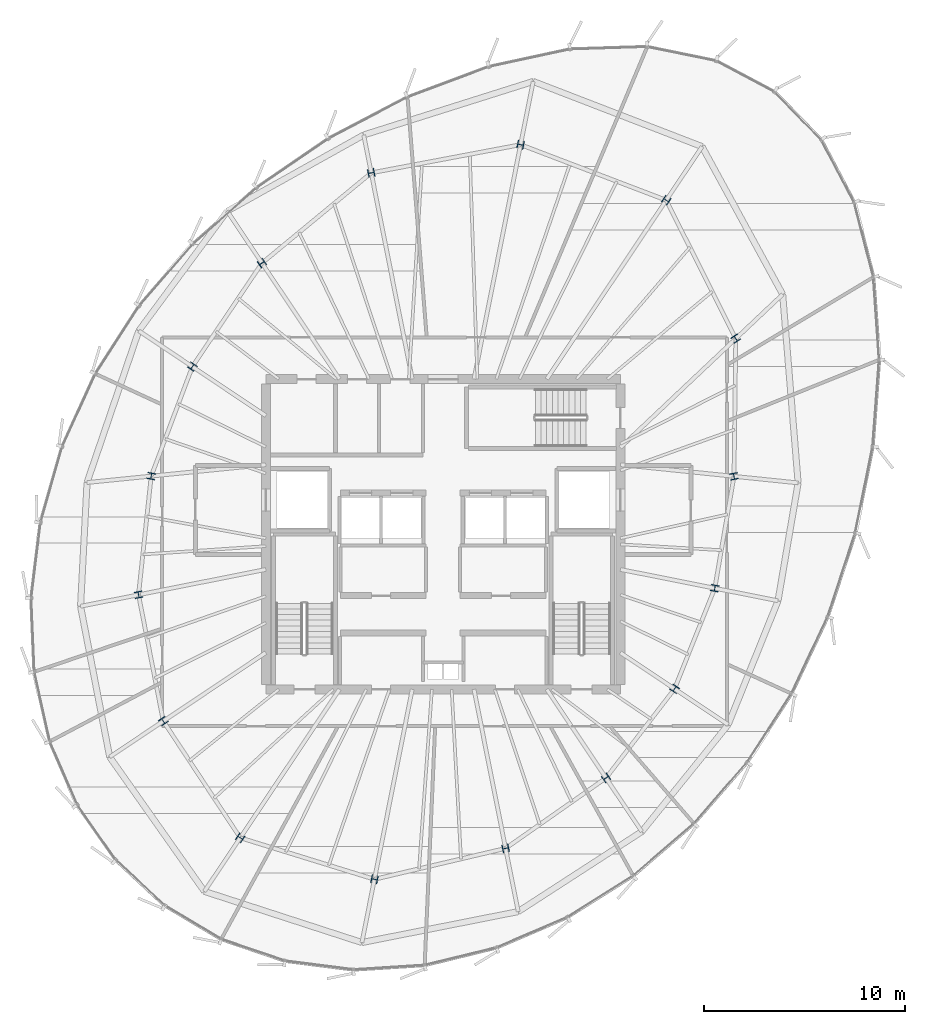
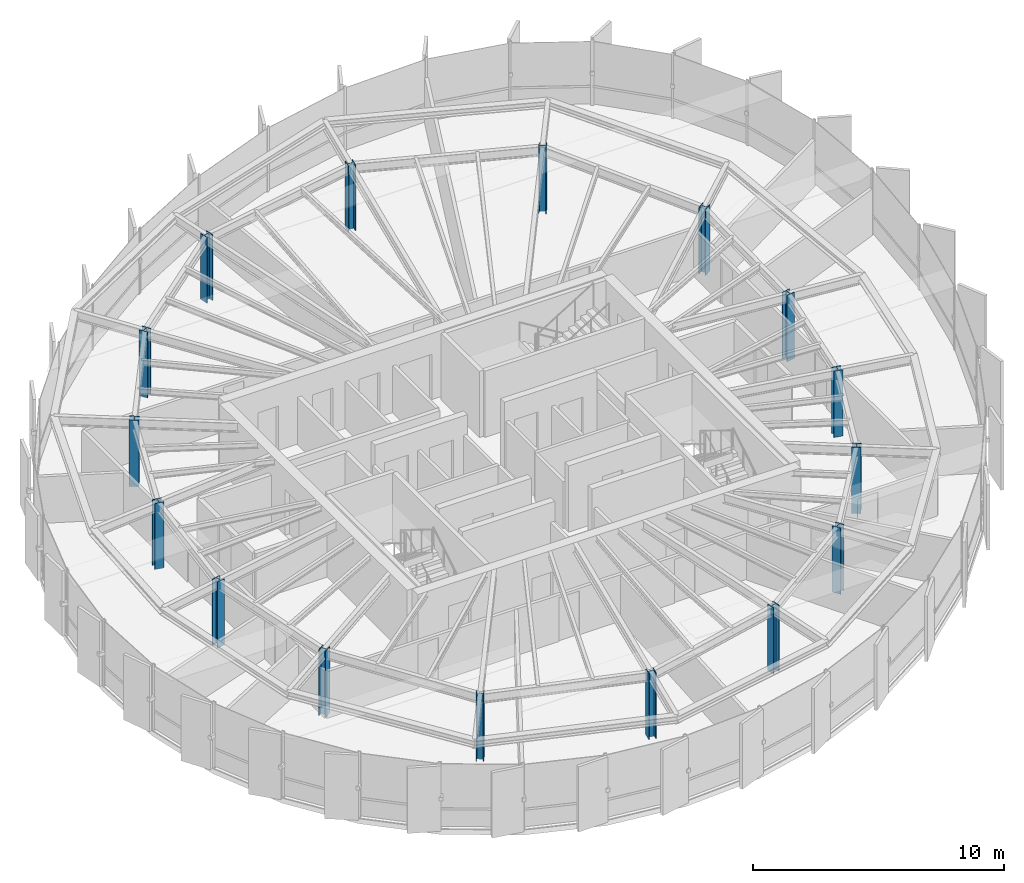
# One storey, part 1 of 35: 16 columns.
"""IFC4 building model written with IfcOpenShell, lengths in metres."""

from ifc_helpers import new_model, si_unit, direction, frame, origin, origin_2d, place, context, subcontext, project, spatial, i_section, extrude, source, transform, mapped, material, material_profile, profile_set, type_object, element, save


model = new_model("IFC4")

# Units and contexts
model_context = context("Model", 3, precision=1e-05, world=origin(), true_north=direction((0.0, 1.0)))
body_context = subcontext(model_context, "Body", "Model", "MODEL_VIEW")
ifc_project = project(units=[si_unit("LENGTHUNIT", "METRE"), si_unit("AREAUNIT", "SQUARE_METRE"), si_unit("VOLUMEUNIT", "CUBIC_METRE"), si_unit("PLANEANGLEUNIT", "RADIAN"), si_unit("MASSUNIT", "GRAM", prefix="KILO"), si_unit("THERMODYNAMICTEMPERATUREUNIT", "KELVIN")], contexts=[model_context])

# Site, building, storey
site_placement = place(None, origin())
site = spatial("IfcSite", under=ifc_project, at=site_placement, CompositionType="ELEMENT")
building_placement = place(site_placement, origin())
building = spatial("IfcBuilding", under=site, at=building_placement, Name="Kethvar Cultural Tower", CompositionType="ELEMENT")
storey_placement = place(building_placement, frame((0.0, 0.0, 249.10009765625)))
storey = spatial("IfcBuildingStorey", under=building, at=storey_placement, Name="L65", CompositionType="ELEMENT", Elevation=249.10009765625)

# Columns
ifc_material = material(Name="Steel S460M", Category="steel")
ifc_material_profile = material_profile(ifc_material, i_section(OverallWidth=0.386962890625, OverallDepth=0.31591796875, WebThickness=0.0185546875, FlangeThickness=0.028076171875, FilletRadius=0.014892578125, at=origin_2d()), Name="Steel S460M — HD400x382")
ifc_profile_set = profile_set([ifc_material_profile], Name="Steel S460M — HD400x382")
column_type = type_object("IfcColumnType", Name="COL-HD382", PredefinedType="COLUMN", material=ifc_profile_set)
shared_shape = source(origin(), body_context, "Body", "SweptSolid", [
    extrude(i_section(OverallWidth=0.386962890625, OverallDepth=0.31591796875, WebThickness=0.0185546875, FlangeThickness=0.028076171875, FilletRadius=0.014892578125, at=origin_2d()), origin(), (0.0, 0.0, 1.0), 3.2099609375),
])
for number, where, z_axis, x_axis, name in (
    (1, (61.237060546875, 30.671630859375, 0.0), (0.0, 0.0, 1.0), (0.980785280403, 0.195090322016, 0.0), "L65 Mega-Column MC-01"),
    (2, (61.32568359375, 37.505859375, 0.0), (0.0, 0.0, 1.0), (0.831469612303, 0.55557023302, 0.0), "L65 Mega-Column MC-02"),
    (3, (57.875244140625, 44.375, 0.0), (0.0, 0.0, 1.0), (0.55557023302, 0.831469612303, 0.0), "L65 Mega-Column MC-03"),
    (4, (50.645263671875, 47.131591796875, 0.0), (0.0, 0.0, 1.0), (0.195090322016, 0.980785280403, 0.0), "L65 Mega-Column MC-04"),
    (5, (43.23291015625, 45.732421875, 0.0), (0.0, 0.0, 1.0), (-0.195090322016, 0.980785280403, 0.0), "L65 Mega-Column MC-05"),
    (6, (37.8095703125, 41.255126953125, 0.0), (0.0, 0.0, 1.0), (-0.55557023302, 0.831469612303, 0.0), "L65 Mega-Column MC-06"),
    (7, (34.35595703125, 36.114990234375, 0.0), (0.0, 0.0, 1.0), (-0.831469612303, 0.55557023302, 0.0), "L65 Mega-Column MC-07"),
    (8, (32.3125, 30.681884765625, 0.0), (0.0, 0.0, 1.0), (-0.980785280403, 0.195090322016, 0.0), "L65 Mega-Column MC-08"),
    (9, (31.68310546875, 24.79296875, 0.0), (0.0, 0.0, 1.0), (-0.980785280403, -0.195090322016, 0.0), "L65 Mega-Column MC-09"),
    (10, (32.912841796875, 18.52099609375, 0.0), (0.0, 0.0, 1.0), (-0.831469612303, -0.55557023302, 0.0), "L65 Mega-Column MC-10"),
    (11, (36.731201171875, 12.73095703125, 0.0), (0.0, 0.0, 1.0), (-0.55557023302, -0.831469612303, 0.0), "L65 Mega-Column MC-11"),
    (12, (43.392822265625, 10.67138671875, 0.0), (0.0, 0.0, 1.0), (-0.195090322016, -0.980785280403, 0.0), "L65 Mega-Column MC-12"),
    (13, (49.901611328125, 12.206787109375, 0.0), (0.0, 0.0, 1.0), (0.195090322016, -0.980785280403, 0.0), "L65 Mega-Column MC-13"),
    (14, (54.885009765625, 15.7001953125, 0.0), (0.0, 0.0, 1.0), (0.55557023302, -0.831469612303, 0.0), "L65 Mega-Column MC-14"),
    (15, (58.287109375, 20.12451171875, 0.0), (0.0, 0.0, 1.0), (0.831469612303, -0.55557023302, 0.0), "L65 Mega-Column MC-15"),
    (16, (60.28369140625, 25.117919921875, 0.0), (0.0, 0.0, 1.0), (0.980785280403, -0.195090322016, 0.0), "L65 Mega-Column MC-16"),
):
    element("IfcColumn", number, at=place(storey_placement, frame(where, z_axis=z_axis, x_axis=x_axis)), inside=storey, type_object=column_type, Name=name, PredefinedType="COLUMN", context=body_context, shape_type="MappedRepresentation", body=[
        mapped(shared_shape, transform((0.0, 0.0, 0.0), scale=1.0)),
    ])

save(model, "model.ifc")
